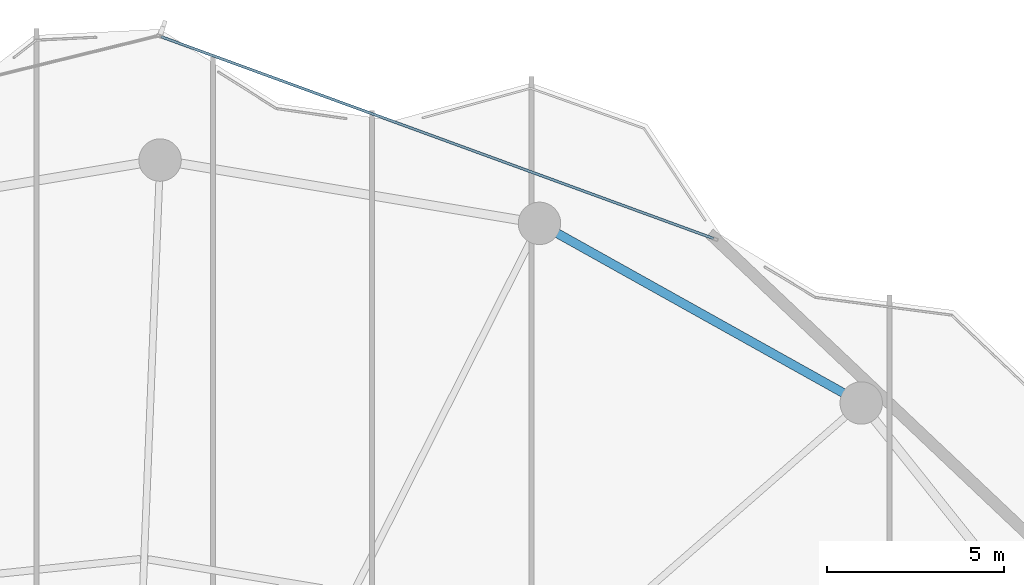
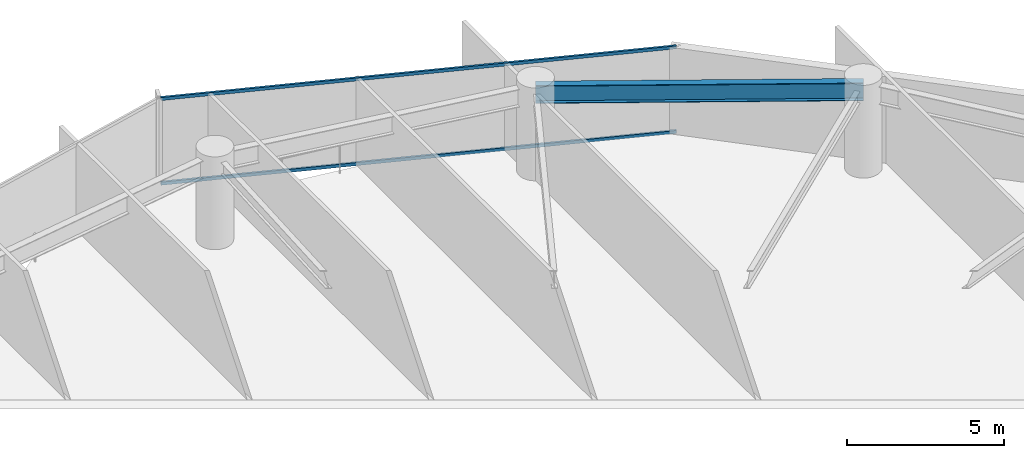
# One storey, part 20 of 28: 2 members, 1 beam, 1 element without a shape of its own.
"""IFC4 building model written with IfcOpenShell, lengths in metres."""

from ifc_helpers import new_model, si_unit, direction, frame, origin, origin_2d, place, context, subcontext, project, spatial, hollow_rectangle, i_section, extrude, material, layer, layer_set, material_profile, profile_set, type_object, element, aggregate, save


model = new_model("IFC4")

# Units and contexts
model_context = context("Model", 3, precision=1e-05, world=origin(), true_north=direction((0.0, 1.0)))
body_context = subcontext(model_context, "Body", "Model", "MODEL_VIEW")
ifc_project = project(units=[si_unit("LENGTHUNIT", "METRE"), si_unit("AREAUNIT", "SQUARE_METRE"), si_unit("VOLUMEUNIT", "CUBIC_METRE"), si_unit("PLANEANGLEUNIT", "RADIAN"), si_unit("MASSUNIT", "GRAM", prefix="KILO")], contexts=[model_context])

# Site, building, storey
site_placement = place(None, origin())
site = spatial("IfcSite", under=ifc_project, at=site_placement, CompositionType="ELEMENT")
building_placement = place(site_placement, origin())
building = spatial("IfcBuilding", under=site, at=building_placement, Name="Kazevale Care Tower and Concert Hall", CompositionType="ELEMENT")
storey_placement = place(building_placement, frame((0.0, 0.0, 106.199951171875)))
storey = spatial("IfcBuildingStorey", under=building, at=storey_placement, Name="L27", CompositionType="ELEMENT", Elevation=106.199951171875)

# Curtain wall, members
ifc_material_1 = material(Name="Aluminium 6063-T6 and Low-E Glass", Category="aluminium")
ifc_layer = layer(ifc_material_1, 0.179931640625)
ifc_layer_set = layer_set([ifc_layer], Name="Aluminium 6063-T6 and Low-E Glass")
curtain_wall_type = type_object("IfcCurtainWallType", Name="Convex Checkerboard Finned Curtain Wall CW-2", PredefinedType="NOTDEFINED", material=ifc_layer_set)
curtain_wall_placement = place(storey_placement, origin())
curtain_wall = element("IfcCurtainWall", 1, at=curtain_wall_placement, inside=storey, type_object=curtain_wall_type, Name="cw:L27:f16", PredefinedType="NOTDEFINED")
ifc_material_2 = material(Name="Aluminium 6063-T6", Category="aluminium")
ifc_material_profile_1 = material_profile(ifc_material_2, hollow_rectangle(XDim=0.074951171875, YDim=0.1201171875, WallThickness=0.00390625, at=origin_2d()), Name="ALU75x120x4")
ifc_profile_set_1 = profile_set([ifc_material_profile_1], Name="Aluminium 6063-T6")
member_type = type_object("IfcMemberType", Name="CW-2 Transom ALU75x120x4", PredefinedType="USERDEFINED", material=ifc_profile_set_1)
member_1_placement = place(storey_placement, frame((45.027099609375, 64.939453125, 0.03759765625), z_axis=(0.939285028824, -0.343137923622, 0.0), x_axis=(0.343137923622, 0.939285028824, 0.0)))
member_1 = element("IfcMember", 2, at=member_1_placement, type_object=member_type, Name="CW-2 transom 1.1", ObjectType="TRANSOM", PredefinedType="USERDEFINED", context=body_context, shape_type="SweptSolid", body=[
    extrude(hollow_rectangle(XDim=0.074951171875, YDim=0.1201171875, WallThickness=0.00390625, at=origin_2d()), origin(), (0.0, 0.0, 1.0), 16.634765625),
])
member_2_placement = place(storey_placement, frame((45.027099609375, 64.939453125, 3.322509765625), z_axis=(0.939285028824, -0.343137923622, 0.0), x_axis=(0.343137923622, 0.939285028824, 0.0)))
member_2 = element("IfcMember", 3, at=member_2_placement, type_object=member_type, Name="CW-2 transom 1.2", ObjectType="TRANSOM", PredefinedType="USERDEFINED", context=body_context, shape_type="SweptSolid", body=[
    extrude(hollow_rectangle(XDim=0.074951171875, YDim=0.1201171875, WallThickness=0.00390625, at=origin_2d()), origin(), (0.0, 0.0, 1.0), 16.634765625),
])
aggregate(curtain_wall, [member_1, member_2])

# Beam
ifc_material_3 = material(Name="Steel ASTM A572 Gr 50", Category="steel")
ifc_material_profile_2 = material_profile(ifc_material_3, i_section(OverallWidth=0.256103515625, OverallDepth=0.693115234375, WebThickness=0.014404296875, FlangeThickness=0.023681640625, at=origin_2d()), Name="W690x170")
ifc_profile_set_2 = profile_set([ifc_material_profile_2], Name="Steel ASTM A572 Gr 50")
beam_type = type_object("IfcBeamType", Name="Waist Ring Beam W690x170", PredefinedType="BEAM", material=ifc_profile_set_2)
beam_placement = place(storey_placement, frame((64.830078125, 54.580078125, 3.013427734375), z_axis=(-0.873168720251, 0.487418081297, 0.0), x_axis=(-0.487418081297, -0.873168720251, 0.0)))
element("IfcBeam", 4, at=beam_placement, inside=storey, type_object=beam_type, Name="beam:L27:ring:03", PredefinedType="BEAM", context=body_context, shape_type="SweptSolid", body=[
    extrude(i_section(OverallWidth=0.256103515625, OverallDepth=0.693115234375, WebThickness=0.014404296875, FlangeThickness=0.023681640625, at=origin_2d()), origin(), (0.0, 0.0, 1.0), 10.421875),
])

save(model, "model.ifc")
